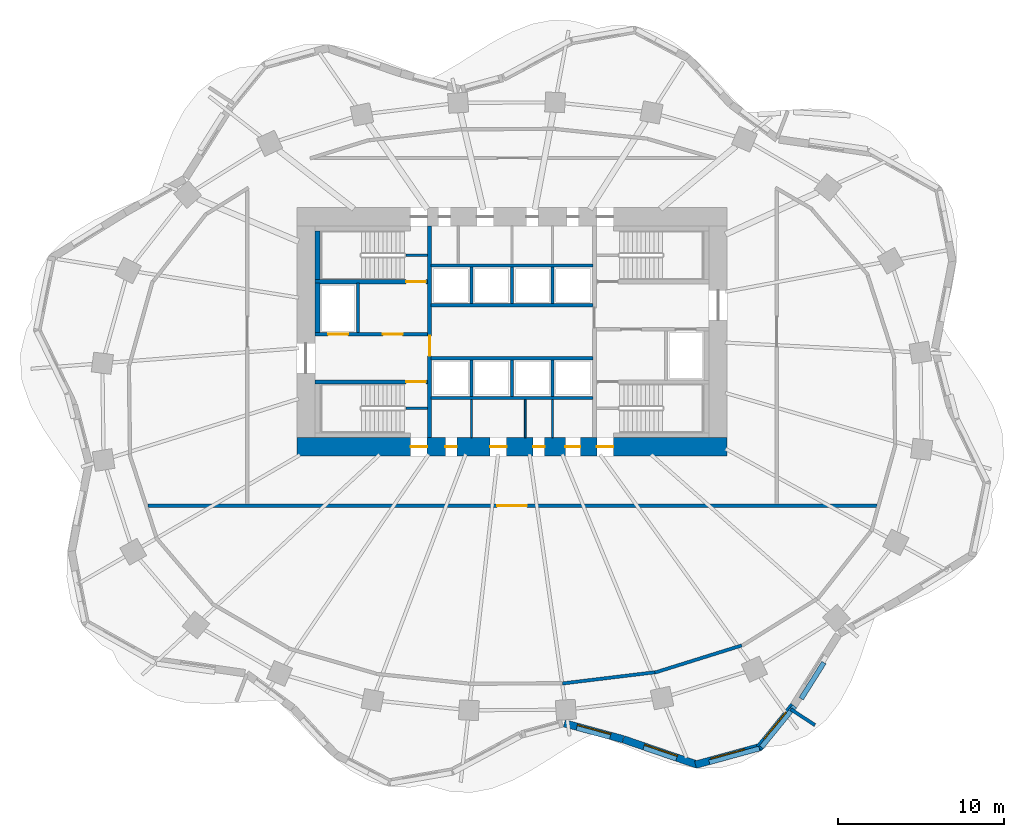
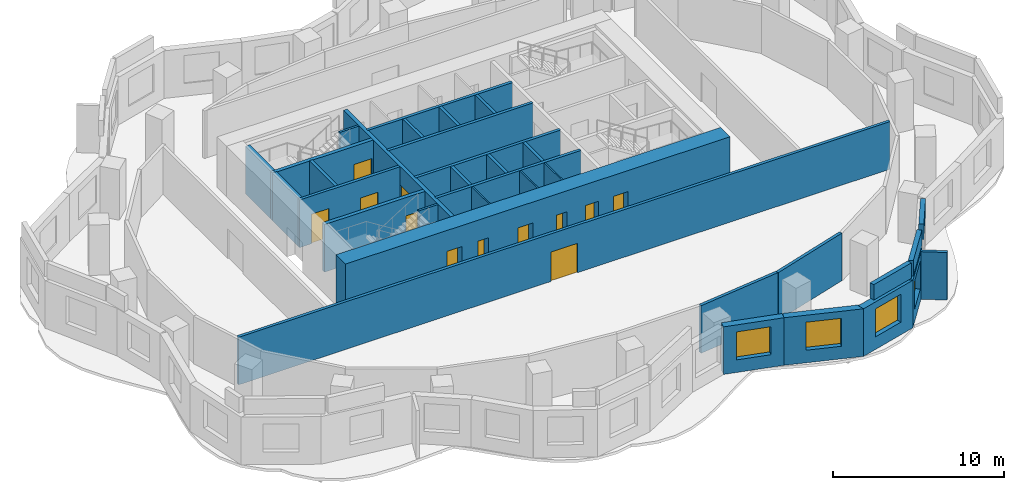
# One storey, part 4 of 8: 34 walls, 12 doors, 4 windows, 16 openings.
"""IFC4 building model written with IfcOpenShell, lengths in metres."""

from ifc_helpers import new_model, si_unit, direction, frame, frame_2d, origin, place, context, subcontext, project, spatial, rectangle, extrude, material, layer, layer_set, type_object, element, fill, save


model = new_model("IFC4")

# Units and contexts
model_context = context("Model", 3, precision=1e-05, world=origin(), true_north=direction((0.0, 1.0)))
body_context = subcontext(model_context, "Body", "Model", "MODEL_VIEW")
ifc_project = project(units=[si_unit("LENGTHUNIT", "METRE"), si_unit("AREAUNIT", "SQUARE_METRE"), si_unit("VOLUMEUNIT", "CUBIC_METRE"), si_unit("PLANEANGLEUNIT", "RADIAN"), si_unit("MASSUNIT", "GRAM", prefix="KILO")], contexts=[model_context])

# Site, building, storey
site_placement = place(None, origin())
site = spatial("IfcSite", under=ifc_project, at=site_placement, CompositionType="ELEMENT")
building_placement = place(site_placement, origin())
building = spatial("IfcBuilding", under=site, at=building_placement, Name="Rubra Terraces Tower", CompositionType="ELEMENT")
storey_placement = place(building_placement, frame((0.0, 0.0, 106.800048828125)))
storey = spatial("IfcBuildingStorey", under=building, at=storey_placement, Name="L25", CompositionType="ELEMENT", Elevation=106.800048828125)

# Wall, opening, window
ifc_material_1 = material(Name="Brick masonry red-brown", Category="masonry")
ifc_layer_1 = layer(ifc_material_1, 0.449951171875)
ifc_layer_set_1 = layer_set([ifc_layer_1], Name="Brick masonry red-brown")
wall_type_1 = type_object("IfcWallType", Name="Brick facade wall 450", PredefinedType="SOLIDWALL", material=ifc_layer_set_1)
wall_1_placement = place(storey_placement, frame((3.164306640625, -19.147216796875, 0.0), z_axis=(0.0, 0.0, 1.0), x_axis=(0.965039479998, -0.262104563191, 0.0)))
wall_1 = element("IfcWall", 1, at=wall_1_placement, inside=storey, type_object=wall_type_1, Name="Facade wall L25 bay 32", PredefinedType="SOLIDWALL", context=body_context, shape_type="SweptSolid", body=[
    extrude(rectangle(XDim=3.671875, YDim=0.449951171875, at=frame_2d((1.8359375, 0.0))), origin(), (0.0, 0.0, 1.0), 3.39990234375),
])
opening_1_placement = place(wall_1_placement, frame((0.785888671875, 0.0, 0.89990234375)))
opening_1 = element("IfcOpeningElement", 2, at=opening_1_placement, cuts=wall_1, Name="Opening W1", PredefinedType="OPENING", context=body_context, shape_type="SweptSolid", body=[
    extrude(rectangle(XDim=2.10009765625, YDim=2.0, at=frame_2d((1.050048828125, 1.0))), frame((0.0, 0.23486328125, 0.0), z_axis=(0.0, -1.0, 0.0), x_axis=(1.0, 0.0, 0.0)), (0.0, 0.0, 1.0), 0.469970703125),
])
ifc_material_2 = material(Name="Clear glass in aluminium frame", Category="aluminium")
window_type = type_object("IfcWindowType", Name="Fixed deep-set window 2100 x 2000", PartitioningType="SINGLE_PANEL", PredefinedType="WINDOW", material=ifc_material_2)
window_1_placement = place(opening_1_placement, origin())
window_1 = element("IfcWindow", 3, at=window_1_placement, inside=storey, type_object=window_type, Name="Window L25 bay 32", OverallHeight=2.0, OverallWidth=2.10009765625, PartitioningType="SINGLE_PANEL", PredefinedType="WINDOW", context=body_context, shape_type="SweptSolid", body=[
    extrude(rectangle(XDim=2.10009765625, YDim=2.0, at=frame_2d((1.050048828125, 1.0))), frame((0.0, 0.135009765625, 0.0), z_axis=(0.0, -1.0, 0.0), x_axis=(1.0, 0.0, 0.0)), (0.0, 0.0, 1.0), 0.06005859375),
])
fill(opening_1, window_1)

wall_2_placement = place(storey_placement, frame((6.722900390625, -20.114013671875, 0.0), z_axis=(0.0, 0.0, 1.0), x_axis=(0.945947299026, -0.324320377815, 0.0)))
wall_2 = element("IfcWall", 4, at=wall_2_placement, inside=storey, type_object=wall_type_1, Name="Facade wall L25 bay 33", PredefinedType="SOLIDWALL", context=body_context, shape_type="SweptSolid", body=[
    extrude(rectangle(XDim=4.74462890625, YDim=0.449951171875, at=frame_2d((2.372314453125, 0.0))), origin(), (0.0, 0.0, 1.0), 3.39990234375),
])
opening_2_placement = place(wall_2_placement, frame((1.322265625, 0.0, 0.89990234375)))
opening_2 = element("IfcOpeningElement", 5, at=opening_2_placement, cuts=wall_2, Name="Opening W1", PredefinedType="OPENING", context=body_context, shape_type="SweptSolid", body=[
    extrude(rectangle(XDim=2.10009765625, YDim=2.0, at=frame_2d((1.050048828125, 1.0))), frame((0.0, 0.23486328125, 0.0), z_axis=(0.0, -1.0, 0.0), x_axis=(1.0, 0.0, 0.0)), (0.0, 0.0, 1.0), 0.469970703125),
])
window_2_placement = place(opening_2_placement, origin())
window_2 = element("IfcWindow", 6, at=window_2_placement, inside=storey, type_object=window_type, Name="Window L25 bay 33", OverallHeight=2.0, OverallWidth=2.10009765625, PartitioningType="SINGLE_PANEL", PredefinedType="WINDOW", context=body_context, shape_type="SweptSolid", body=[
    extrude(rectangle(XDim=2.10009765625, YDim=2.0, at=frame_2d((1.050048828125, 1.0))), frame((0.0, 0.135009765625, 0.0), z_axis=(0.0, -1.0, 0.0), x_axis=(1.0, 0.0, 0.0)), (0.0, 0.0, 1.0), 0.06005859375),
])
fill(opening_2, window_2)

wall_3_placement = place(storey_placement, frame((11.08251953125, -21.64990234375, 0.0), z_axis=(0.0, 0.0, 1.0), x_axis=(0.964483204983, 0.264144179011, 0.0)))
wall_3 = element("IfcWall", 7, at=wall_3_placement, inside=storey, type_object=wall_type_1, Name="Facade wall L25 bay 34", PredefinedType="SOLIDWALL", context=body_context, shape_type="SweptSolid", body=[
    extrude(rectangle(XDim=4.103759765625, YDim=0.449951171875, at=frame_2d((2.0517578125, 0.0))), origin(), (0.0, 0.0, 1.0), 3.39990234375),
])
opening_3_placement = place(wall_3_placement, frame((1.001953125, 0.0, 0.89990234375)))
opening_3 = element("IfcOpeningElement", 8, at=opening_3_placement, cuts=wall_3, Name="Opening W1", PredefinedType="OPENING", context=body_context, shape_type="SweptSolid", body=[
    extrude(rectangle(XDim=2.10009765625, YDim=2.0, at=frame_2d((1.050048828125, 1.0))), frame((0.0, 0.23486328125, 0.0), z_axis=(0.0, -1.0, 0.0), x_axis=(1.0, 0.0, 0.0)), (0.0, 0.0, 1.0), 0.469970703125),
])
window_3_placement = place(opening_3_placement, origin())
window_3 = element("IfcWindow", 9, at=window_3_placement, inside=storey, type_object=window_type, Name="Window L25 bay 34", OverallHeight=2.0, OverallWidth=2.10009765625, PartitioningType="SINGLE_PANEL", PredefinedType="WINDOW", context=body_context, shape_type="SweptSolid", body=[
    extrude(rectangle(XDim=2.10009765625, YDim=2.0, at=frame_2d((1.050048828125, 1.0))), frame((0.0, 0.135009765625, 0.0), z_axis=(0.0, -1.0, 0.0), x_axis=(1.0, 0.0, 0.0)), (0.0, 0.0, 1.0), 0.06005859375),
])
fill(opening_3, window_3)

wall_4_placement = place(storey_placement, frame((14.925537109375, -20.640869140625, 0.0), z_axis=(0.0, 0.0, 1.0), x_axis=(0.631548074669, 0.775336720001, 0.0)))
wall_4 = element("IfcWall", 10, at=wall_4_placement, inside=storey, type_object=wall_type_1, Name="Facade wall L25 bay 35", PredefinedType="SOLIDWALL", context=body_context, shape_type="SweptSolid", body=[
    extrude(rectangle(XDim=3.3076171875, YDim=0.449951171875, at=frame_2d((1.65380859375, 0.0))), origin(), (0.0, 0.0, 1.0), 3.39990234375),
])
opening_4_placement = place(wall_4_placement, frame((0.603759765625, 0.0, 0.89990234375)))
opening_4 = element("IfcOpeningElement", 11, at=opening_4_placement, cuts=wall_4, Name="Opening W1", PredefinedType="OPENING", context=body_context, shape_type="SweptSolid", body=[
    extrude(rectangle(XDim=2.10009765625, YDim=2.0, at=frame_2d((1.050048828125, 1.0))), frame((0.0, 0.23486328125, 0.0), z_axis=(0.0, -1.0, 0.0), x_axis=(1.0, 0.0, 0.0)), (0.0, 0.0, 1.0), 0.469970703125),
])
window_4_placement = place(opening_4_placement, origin())
window_4 = element("IfcWindow", 12, at=window_4_placement, inside=storey, type_object=window_type, Name="Window L25 bay 35", OverallHeight=2.0, OverallWidth=2.10009765625, PartitioningType="SINGLE_PANEL", PredefinedType="WINDOW", context=body_context, shape_type="SweptSolid", body=[
    extrude(rectangle(XDim=2.10009765625, YDim=2.0, at=frame_2d((1.050048828125, 1.0))), frame((0.0, 0.135009765625, 0.0), z_axis=(0.0, -1.0, 0.0), x_axis=(1.0, 0.0, 0.0)), (0.0, 0.0, 1.0), 0.06005859375),
])
fill(opening_4, window_4)

# Walls
ifc_layer_2 = layer(ifc_material_1, 0.300048828125)
ifc_layer_set_2 = layer_set([ifc_layer_2], Name="Brick masonry red-brown")
wall_type_2 = type_object("IfcWallType", Name="Brick parapet 300", PredefinedType="PARAPET", material=ifc_layer_set_2)
wall_5_placement = place(storey_placement, frame((11.916259765625, -21.49951171875, 3.599853515625), z_axis=(0.0, 0.0, 1.0), x_axis=(0.964473787466, 0.264178563271, 0.0)))
element("IfcWall", 13, at=wall_5_placement, inside=storey, type_object=wall_type_2, Name="Parapet L25 bay 34", PredefinedType="PARAPET", context=body_context, shape_type="SweptSolid", body=[
    extrude(rectangle(XDim=3.1337890625, YDim=0.300048828125, at=frame_2d((1.56689453125, 0.0))), origin(), (0.0, 0.0, 1.0), 1.10009765625),
])
wall_6_placement = place(storey_placement, frame((15.063232421875, -20.590576171875, 3.599853515625), z_axis=(0.0, 0.0, 1.0), x_axis=(0.631539712948, 0.775343530939, 0.0)))
element("IfcWall", 14, at=wall_6_placement, inside=storey, type_object=wall_type_2, Name="Parapet L25 bay 35", PredefinedType="PARAPET", context=body_context, shape_type="SweptSolid", body=[
    extrude(rectangle(XDim=3.181640625, YDim=0.300048828125, at=frame_2d((1.5908203125, 0.0))), origin(), (0.0, 0.0, 1.0), 1.10009765625),
])
wall_7_placement = place(storey_placement, frame((17.4658203125, -17.663818359375, 3.599853515625), z_axis=(0.0, 0.0, 1.0), x_axis=(0.532743008157, 0.846277074758, 0.0)))
element("IfcWall", 15, at=wall_7_placement, inside=storey, type_object=wall_type_2, Name="Parapet L25 bay 36", PredefinedType="PARAPET", context=body_context, shape_type="SweptSolid", body=[
    extrude(rectangle(XDim=2.58056640625, YDim=0.300048828125, at=frame_2d((1.290283203125, 0.0))), origin(), (0.0, 0.0, 1.0), 1.10009765625),
])
ifc_layer_3 = layer(ifc_material_1, 0.199951171875)
ifc_layer_set_3 = layer_set([ifc_layer_3], Name="Brick masonry red-brown")
wall_type_3 = type_object("IfcWallType", Name="Brick wind fin 200", PredefinedType="SOLIDWALL", material=ifc_layer_set_3)
wall_8_placement = place(storey_placement, frame((16.837890625, -18.298095703125, 0.0), z_axis=(0.0, 0.0, 1.0), x_axis=(0.835871900419, -0.548924554097, 0.0)))
element("IfcWall", 16, at=wall_8_placement, inside=storey, type_object=wall_type_3, Name="Wind fin L25 21", PredefinedType="SOLIDWALL", context=body_context, shape_type="SweptSolid", body=[
    extrude(rectangle(XDim=1.750244140625, YDim=0.199951171875, at=frame_2d((0.875, 0.0))), origin(), (0.0, 0.0, 1.0), 3.39990234375),
])

# Wall, openings, doors
ifc_material_3 = material(Name="Concrete C60", Category="concrete")
ifc_layer_4 = layer(ifc_material_3, 1.10009765625)
ifc_layer_set_4 = layer_set([ifc_layer_4], Name="Concrete C60")
wall_type_4 = type_object("IfcWallType", Name="CORE WALL 1100 C60", PredefinedType="SHEAR", material=ifc_layer_set_4)
wall_9_placement = place(storey_placement, frame((-13.0, -2.449951171875, 0.0), z_axis=(0.0, 0.0, 1.0), x_axis=(1.0, 0.0, 0.0)))
wall_9 = element("IfcWall", 17, at=wall_9_placement, inside=storey, type_object=wall_type_4, Name="CORE WALL S L25", PredefinedType="SHEAR", context=body_context, shape_type="SweptSolid", body=[
    extrude(rectangle(XDim=26.0, YDim=1.10009765625, at=frame_2d((13.0, 0.0))), origin(), (0.0, 0.0, 1.0), 3.599853515625),
])
opening_5_placement = place(wall_9_placement, frame((8.97509765625, 0.0, 0.0)))
opening_5 = element("IfcOpeningElement", 18, at=opening_5_placement, cuts=wall_9, Name="Opening L25.C13", PredefinedType="OPENING", context=body_context, shape_type="SweptSolid", body=[
    extrude(rectangle(XDim=0.699951171875, YDim=2.10009765625, at=frame_2d((0.35009765625, 1.050048828125))), frame((0.0, 0.56005859375, 0.0), z_axis=(0.0, -1.0, 0.0), x_axis=(1.0, 0.0, 0.0)), (0.0, 0.0, 1.0), 1.1201171875),
])
opening_6_placement = place(wall_9_placement, frame((11.675048828125, 0.0, 0.0)))
opening_6 = element("IfcOpeningElement", 19, at=opening_6_placement, cuts=wall_9, Name="Opening L25.C14", PredefinedType="OPENING", context=body_context, shape_type="SweptSolid", body=[
    extrude(rectangle(XDim=1.0, YDim=2.10009765625, at=frame_2d((0.5, 1.050048828125))), frame((0.0, 0.56005859375, 0.0), z_axis=(0.0, -1.0, 0.0), x_axis=(1.0, 0.0, 0.0)), (0.0, 0.0, 1.0), 1.1201171875),
])
opening_7_placement = place(wall_9_placement, frame((14.27490234375, 0.0, 0.0)))
opening_7 = element("IfcOpeningElement", 20, at=opening_7_placement, cuts=wall_9, Name="Opening L25.C15", PredefinedType="OPENING", context=body_context, shape_type="SweptSolid", body=[
    extrude(rectangle(XDim=0.699951171875, YDim=2.10009765625, at=frame_2d((0.35009765625, 1.050048828125))), frame((0.0, 0.56005859375, 0.0), z_axis=(0.0, -1.0, 0.0), x_axis=(1.0, 0.0, 0.0)), (0.0, 0.0, 1.0), 1.1201171875),
])
opening_8_placement = place(wall_9_placement, frame((16.22509765625, 0.0, 0.0)))
opening_8 = element("IfcOpeningElement", 21, at=opening_8_placement, cuts=wall_9, Name="Opening L25.C16", PredefinedType="OPENING", context=body_context, shape_type="SweptSolid", body=[
    extrude(rectangle(XDim=0.89990234375, YDim=2.10009765625, at=frame_2d((0.449951171875, 1.050048828125))), frame((0.0, 0.56005859375, 0.0), z_axis=(0.0, -1.0, 0.0), x_axis=(1.0, 0.0, 0.0)), (0.0, 0.0, 1.0), 1.1201171875),
])
opening_9_placement = place(wall_9_placement, frame((6.8798828125, 0.0, 0.0)))
opening_9 = element("IfcOpeningElement", 22, at=opening_9_placement, cuts=wall_9, Name="Opening L25.C21", PredefinedType="OPENING", context=body_context, shape_type="SweptSolid", body=[
    extrude(rectangle(XDim=1.0, YDim=2.10009765625, at=frame_2d((0.5, 1.050048828125))), frame((0.0, 0.56005859375, 0.0), z_axis=(0.0, -1.0, 0.0), x_axis=(1.0, 0.0, 0.0)), (0.0, 0.0, 1.0), 1.1201171875),
])
opening_10_placement = place(wall_9_placement, frame((18.1201171875, 0.0, 0.0)))
opening_10 = element("IfcOpeningElement", 23, at=opening_10_placement, cuts=wall_9, Name="Opening L25.C24", PredefinedType="OPENING", context=body_context, shape_type="SweptSolid", body=[
    extrude(rectangle(XDim=1.0, YDim=2.10009765625, at=frame_2d((0.5, 1.050048828125))), frame((0.0, 0.56005859375, 0.0), z_axis=(0.0, -1.0, 0.0), x_axis=(1.0, 0.0, 0.0)), (0.0, 0.0, 1.0), 1.1201171875),
])
ifc_material_4 = material(Name="Painted steel", Category="steel")
door_type_1 = type_object("IfcDoorType", Name="Fire door 1000x2100 single", OperationType="NOTDEFINED", PredefinedType="DOOR", material=ifc_material_4)
door_1_placement = place(opening_6_placement, origin())
door_1 = element("IfcDoor", 24, at=door_1_placement, inside=storey, type_object=door_type_1, Name="General store door", OperationType="SINGLE_SWING_RIGHT", OverallHeight=2.10009765625, OverallWidth=1.0, PredefinedType="DOOR", context=body_context, shape_type="SweptSolid", body=[
    extrude(rectangle(XDim=1.0, YDim=2.10009765625, at=frame_2d((0.5, 1.050048828125))), frame((0.0, 0.02490234375, 0.0), z_axis=(0.0, -1.0, 0.0), x_axis=(1.0, 0.0, 0.0)), (0.0, 0.0, 1.0), 0.050048828125),
])
fill(opening_6, door_1)
door_2_placement = place(opening_9_placement, origin())
door_2 = element("IfcDoor", 25, at=door_2_placement, inside=storey, type_object=door_type_1, Name="Stair S1 refuge door", OperationType="SINGLE_SWING_LEFT", OverallHeight=2.10009765625, OverallWidth=1.0, PredefinedType="DOOR", context=body_context, shape_type="SweptSolid", body=[
    extrude(rectangle(XDim=1.0, YDim=2.10009765625, at=frame_2d((0.5, 1.050048828125))), frame((0.0, 0.02490234375, 0.0), z_axis=(0.0, -1.0, 0.0), x_axis=(1.0, 0.0, 0.0)), (0.0, 0.0, 1.0), 0.050048828125),
])
fill(opening_9, door_2)
door_3_placement = place(opening_10_placement, origin())
door_3 = element("IfcDoor", 26, at=door_3_placement, inside=storey, type_object=door_type_1, Name="Stair S4 refuge door", OperationType="SINGLE_SWING_RIGHT", OverallHeight=2.10009765625, OverallWidth=1.0, PredefinedType="DOOR", context=body_context, shape_type="SweptSolid", body=[
    extrude(rectangle(XDim=1.0, YDim=2.10009765625, at=frame_2d((0.5, 1.050048828125))), frame((0.0, 0.02490234375, 0.0), z_axis=(0.0, -1.0, 0.0), x_axis=(1.0, 0.0, 0.0)), (0.0, 0.0, 1.0), 0.050048828125),
])
fill(opening_10, door_3)
door_type_2 = type_object("IfcDoorType", Name="Fire door 900x2100 single", OperationType="NOTDEFINED", PredefinedType="DOOR", material=ifc_material_4)
door_4_placement = place(opening_8_placement, origin())
door_4 = element("IfcDoor", 27, at=door_4_placement, inside=storey, type_object=door_type_2, Name="Cleaner's store door", OperationType="SINGLE_SWING_RIGHT", OverallHeight=2.10009765625, OverallWidth=0.89990234375, PredefinedType="DOOR", context=body_context, shape_type="SweptSolid", body=[
    extrude(rectangle(XDim=0.89990234375, YDim=2.10009765625, at=frame_2d((0.449951171875, 1.050048828125))), frame((0.0, 0.02490234375, 0.0), z_axis=(0.0, -1.0, 0.0), x_axis=(1.0, 0.0, 0.0)), (0.0, 0.0, 1.0), 0.050048828125),
])
fill(opening_8, door_4)
door_type_3 = type_object("IfcDoorType", Name="Riser access door 700x2100 single", OperationType="NOTDEFINED", PredefinedType="DOOR", material=ifc_material_4)
door_5_placement = place(opening_5_placement, origin())
door_5 = element("IfcDoor", 28, at=door_5_placement, inside=storey, type_object=door_type_3, Name="M&E riser room door", OperationType="SINGLE_SWING_LEFT", OverallHeight=2.10009765625, OverallWidth=0.699951171875, PredefinedType="DOOR", context=body_context, shape_type="SweptSolid", body=[
    extrude(rectangle(XDim=0.699951171875, YDim=2.10009765625, at=frame_2d((0.35009765625, 1.050048828125))), frame((0.0, 0.02490234375, 0.0), z_axis=(0.0, -1.0, 0.0), x_axis=(1.0, 0.0, 0.0)), (0.0, 0.0, 1.0), 0.050048828125),
])
fill(opening_5, door_5)
door_6_placement = place(opening_7_placement, origin())
door_6 = element("IfcDoor", 29, at=door_6_placement, inside=storey, type_object=door_type_3, Name="Telecoms room door", OperationType="SINGLE_SWING_LEFT", OverallHeight=2.10009765625, OverallWidth=0.699951171875, PredefinedType="DOOR", context=body_context, shape_type="SweptSolid", body=[
    extrude(rectangle(XDim=0.699951171875, YDim=2.10009765625, at=frame_2d((0.35009765625, 1.050048828125))), frame((0.0, 0.02490234375, 0.0), z_axis=(0.0, -1.0, 0.0), x_axis=(1.0, 0.0, 0.0)), (0.0, 0.0, 1.0), 0.050048828125),
])
fill(opening_7, door_6)

# Walls
ifc_material_5 = material(Name="Concrete C40", Category="concrete")
ifc_layer_5 = layer(ifc_material_5, 0.300048828125)
ifc_layer_set_5 = layer_set([ifc_layer_5], Name="Concrete C40")
wall_type_5 = type_object("IfcWallType", Name="Core lining wall 300 concrete", PredefinedType="SOLIDWALL", material=ifc_layer_set_5)
wall_10_placement = place(storey_placement, frame((-11.75, 4.449951171875, 0.0), z_axis=(0.0, 0.0, 1.0), x_axis=(0.0, 1.0, 0.0)))
element("IfcWall", 30, at=wall_10_placement, inside=storey, type_object=wall_type_5, Name="CORE LINING WALL L25", PredefinedType="SOLIDWALL", context=body_context, shape_type="SweptSolid", body=[
    extrude(rectangle(XDim=3.0, YDim=0.300048828125, at=frame_2d((1.5, 0.0))), origin(), (0.0, 0.0, 1.0), 3.39990234375),
])
wall_11_placement = place(storey_placement, frame((-11.75, 7.64990234375, 0.0), z_axis=(0.0, 0.0, 1.0), x_axis=(0.0, 1.0, 0.0)))
element("IfcWall", 31, at=wall_11_placement, inside=storey, type_object=wall_type_5, Name="CORE LINING WALL L25", PredefinedType="SOLIDWALL", context=body_context, shape_type="SweptSolid", body=[
    extrude(rectangle(XDim=2.9501953125, YDim=0.300048828125, at=frame_2d((1.47509765625, 0.0))), origin(), (0.0, 0.0, 1.0), 3.39990234375),
])

# Wall, openings, doors
ifc_material_6 = material(Name="Concrete C30", Category="concrete")
ifc_layer_6 = layer(ifc_material_6, 0.199951171875)
ifc_layer_set_6 = layer_set([ifc_layer_6], Name="Concrete C30")
wall_type_6 = type_object("IfcWallType", Name="Core wall 200 concrete", PredefinedType="SOLIDWALL", material=ifc_layer_set_6)
wall_12_placement = place(storey_placement, frame((-11.89990234375, 4.35009765625, 0.0), z_axis=(0.0, 0.0, 1.0), x_axis=(1.0, 0.0, 0.0)))
wall_12 = element("IfcWall", 32, at=wall_12_placement, inside=storey, type_object=wall_type_6, Name="STAIR WALL L25", PredefinedType="SOLIDWALL", context=body_context, shape_type="SweptSolid", body=[
    extrude(rectangle(XDim=6.7998046875, YDim=0.199951171875, at=frame_2d((3.39990234375, 0.0))), origin(), (0.0, 0.0, 1.0), 3.39990234375),
])
opening_11_placement = place(wall_12_placement, frame((4.10009765625, 0.0, 0.0)))
opening_11 = element("IfcOpeningElement", 33, at=opening_11_placement, cuts=wall_12, Name="Opening L25.C05", PredefinedType="OPENING", context=body_context, shape_type="SweptSolid", body=[
    extrude(rectangle(XDim=1.199951171875, YDim=2.10009765625, at=frame_2d((0.60009765625, 1.050048828125))), frame((0.0, 0.10986328125, 0.0), z_axis=(0.0, -1.0, 0.0), x_axis=(1.0, 0.0, 0.0)), (0.0, 0.0, 1.0), 0.219970703125),
])
opening_12_placement = place(wall_12_placement, frame((0.800048828125, 0.0, 0.0)))
opening_12 = element("IfcOpeningElement", 34, at=opening_12_placement, cuts=wall_12, Name="Opening L25.C11", PredefinedType="OPENING", context=body_context, shape_type="SweptSolid", body=[
    extrude(rectangle(XDim=1.199951171875, YDim=2.10009765625, at=frame_2d((0.60009765625, 1.050048828125))), frame((0.0, 0.10986328125, 0.0), z_axis=(0.0, -1.0, 0.0), x_axis=(1.0, 0.0, 0.0)), (0.0, 0.0, 1.0), 0.219970703125),
])
door_type_4 = type_object("IfcDoorType", Name="Fire door 1200x2100 single", OperationType="NOTDEFINED", PredefinedType="DOOR", material=ifc_material_4)
door_7_placement = place(opening_11_placement, origin())
door_7 = element("IfcDoor", 35, at=door_7_placement, inside=storey, type_object=door_type_4, Name="Stair vestibule door S2", OperationType="SINGLE_SWING_LEFT", OverallHeight=2.10009765625, OverallWidth=1.199951171875, PredefinedType="DOOR", context=body_context, shape_type="SweptSolid", body=[
    extrude(rectangle(XDim=1.199951171875, YDim=2.10009765625, at=frame_2d((0.60009765625, 1.050048828125))), frame((0.0, 0.02490234375, 0.0), z_axis=(0.0, -1.0, 0.0), x_axis=(1.0, 0.0, 0.0)), (0.0, 0.0, 1.0), 0.050048828125),
])
fill(opening_11, door_7)
ifc_material_7 = material(Name="Stainless steel", Category="steel")
door_type_5 = type_object("IfcDoorType", Name="Lift landing door 1200x2100", OperationType="NOTDEFINED", PredefinedType="DOOR", material=ifc_material_7)
door_8_placement = place(opening_12_placement, origin())
door_8 = element("IfcDoor", 36, at=door_8_placement, inside=storey, type_object=door_type_5, Name="Landing door FF1", OperationType="SLIDING_TO_RIGHT", OverallHeight=2.10009765625, OverallWidth=1.199951171875, PredefinedType="DOOR", context=body_context, shape_type="SweptSolid", body=[
    extrude(rectangle(XDim=1.199951171875, YDim=2.10009765625, at=frame_2d((0.60009765625, 1.050048828125))), frame((0.0, 0.02490234375, 0.0), z_axis=(0.0, -1.0, 0.0), x_axis=(1.0, 0.0, 0.0)), (0.0, 0.0, 1.0), 0.050048828125),
])
fill(opening_12, door_8)

# Walls
wall_13_placement = place(storey_placement, frame((-9.300048828125, 4.449951171875, 0.0), z_axis=(0.0, 0.0, 1.0), x_axis=(0.0, 1.0, 0.0)))
element("IfcWall", 37, at=wall_13_placement, inside=storey, type_object=wall_type_6, Name="STAIR WALL L25", PredefinedType="SOLIDWALL", context=body_context, shape_type="SweptSolid", body=[
    extrude(rectangle(XDim=3.0, YDim=0.199951171875, at=frame_2d((1.5, 0.0))), origin(), (0.0, 0.0, 1.0), 3.39990234375),
])
for number, where, z_axis, x_axis, name in (
    (38, (-4.89990234375, 0.5, 0.0), (0.0, 0.0, 1.0), (1.0, 0.0, 0.0), "LIFT SHAFT WALL L25"),
    (39, (-4.89990234375, 2.89990234375, 0.0), (0.0, 0.0, 1.0), (1.0, 0.0, 0.0), "LIFT SHAFT WALL L25"),
    (40, (-4.89990234375, 6.10009765625, 0.0), (0.0, 0.0, 1.0), (1.0, 0.0, 0.0), "LIFT SHAFT WALL L25"),
    (41, (-4.89990234375, 8.5, 0.0), (0.0, 0.0, 1.0), (1.0, 0.0, 0.0), "LIFT SHAFT WALL L25"),
):
    element("IfcWall", number, at=place(storey_placement, frame(where, z_axis=z_axis, x_axis=x_axis)), inside=storey, type_object=wall_type_6, Name=name, PredefinedType="SOLIDWALL", context=body_context, shape_type="SweptSolid", body=[
        extrude(rectangle(XDim=9.7998046875, YDim=0.199951171875, at=frame_2d((4.89990234375, 0.0))), origin(), (0.0, 0.0, 1.0), 3.39990234375),
    ])
for number, where, z_axis, x_axis, name in (
    (42, (-2.449951171875, 0.60009765625, 0.0), (0.0, 0.0, 1.0), (0.0, 1.0, 0.0), "LIFT SHAFT WALL L25"),
    (43, (0.0, 0.60009765625, 0.0), (0.0, 0.0, 1.0), (0.0, 1.0, 0.0), "LIFT SHAFT WALL L25"),
    (44, (2.449951171875, 0.60009765625, 0.0), (0.0, 0.0, 1.0), (0.0, 1.0, 0.0), "LIFT SHAFT WALL L25"),
    (45, (-2.449951171875, 6.199951171875, 0.0), (0.0, 0.0, 1.0), (0.0, 1.0, 0.0), "LIFT SHAFT WALL L25"),
    (46, (0.0, 6.199951171875, 0.0), (0.0, 0.0, 1.0), (0.0, 1.0, 0.0), "LIFT SHAFT WALL L25"),
    (47, (2.449951171875, 6.199951171875, 0.0), (0.0, 0.0, 1.0), (0.0, 1.0, 0.0), "LIFT SHAFT WALL L25"),
):
    element("IfcWall", number, at=place(storey_placement, frame(where, z_axis=z_axis, x_axis=x_axis)), inside=storey, type_object=wall_type_6, Name=name, PredefinedType="SOLIDWALL", context=body_context, shape_type="SweptSolid", body=[
        extrude(rectangle(XDim=2.199951171875, YDim=0.199951171875, at=frame_2d((1.10009765625, 0.0))), origin(), (0.0, 0.0, 1.0), 3.39990234375),
    ])
ifc_material_8 = material(Name="Blockwork", Category="masonry")
ifc_layer_7 = layer(ifc_material_8, 0.199951171875)
ifc_layer_set_7 = layer_set([ifc_layer_7], Name="Blockwork")
wall_type_7 = type_object("IfcWallType", Name="Corridor partition 200 blockwork", PredefinedType="PARTITIONING", material=ifc_layer_set_7)
wall_14_placement = place(storey_placement, frame((13.875, -14.445068359375, 0.0), z_axis=(0.0, 0.0, 1.0), x_axis=(-0.954489463941, -0.298244636541, 0.0)))
element("IfcWall", 48, at=wall_14_placement, inside=storey, type_object=wall_type_7, Name="Partition wall", PredefinedType="PARTITIONING", context=body_context, shape_type="SweptSolid", body=[
    extrude(rectangle(XDim=5.4951171875, YDim=0.199951171875, at=frame_2d((2.74755859375, 0.0))), origin(), (0.0, 0.0, 1.0), 3.39990234375),
])
wall_15_placement = place(storey_placement, frame((8.6259765625, -16.06591796875, 0.0), z_axis=(0.0, 0.0, 1.0), x_axis=(-0.992720392358, -0.120441780942, 0.0)))
element("IfcWall", 49, at=wall_15_placement, inside=storey, type_object=wall_type_7, Name="Partition wall", PredefinedType="PARTITIONING", context=body_context, shape_type="SweptSolid", body=[
    extrude(rectangle(XDim=5.61279296875, YDim=0.199951171875, at=frame_2d((2.806396484375, 0.0))), origin(), (0.0, 0.0, 1.0), 3.39990234375),
])

# Wall, opening, door
wall_16_placement = place(storey_placement, frame((-21.998046875, -6.0, 0.0), z_axis=(0.0, 0.0, 1.0), x_axis=(1.0, 0.0, 0.0)))
wall_16 = element("IfcWall", 50, at=wall_16_placement, inside=storey, type_object=wall_type_7, Name="Partition wall", PredefinedType="PARTITIONING", context=body_context, shape_type="SweptSolid", body=[
    extrude(rectangle(XDim=44.0361328125, YDim=0.199951171875, at=frame_2d((22.01806640625, 0.0))), origin(), (0.0, 0.0, 1.0), 3.39990234375),
])
opening_13_placement = place(wall_16_placement, frame((21.097900390625, 0.0, 0.0)))
opening_13 = element("IfcOpeningElement", 51, at=opening_13_placement, cuts=wall_16, Name="Opening DB3", PredefinedType="OPENING", context=body_context, shape_type="SweptSolid", body=[
    extrude(rectangle(XDim=1.800048828125, YDim=2.10009765625, at=frame_2d((0.89990234375, 1.050048828125))), frame((0.0, 0.10986328125, 0.0), z_axis=(0.0, -1.0, 0.0), x_axis=(1.0, 0.0, 0.0)), (0.0, 0.0, 1.0), 0.219970703125),
])
door_type_6 = type_object("IfcDoorType", Name="Door 1800x2100 double", OperationType="NOTDEFINED", PredefinedType="DOOR", material=ifc_material_4)
door_9_placement = place(opening_13_placement, origin())
door_9 = element("IfcDoor", 52, at=door_9_placement, inside=storey, type_object=door_type_6, Name="Refuge area door L25-01", OperationType="DOUBLE_DOOR_SINGLE_SWING", OverallHeight=2.10009765625, OverallWidth=1.800048828125, PredefinedType="DOOR", context=body_context, shape_type="SweptSolid", body=[
    extrude(rectangle(XDim=1.800048828125, YDim=2.10009765625, at=frame_2d((0.89990234375, 1.050048828125))), frame((0.0, 0.02490234375, 0.0), z_axis=(0.0, -1.0, 0.0), x_axis=(1.0, 0.0, 0.0)), (0.0, 0.0, 1.0), 0.050048828125),
])
fill(opening_13, door_9)

# Walls
ifc_layer_8 = layer(ifc_material_8, 0.10009765625)
ifc_layer_set_8 = layer_set([ifc_layer_8], Name="Blockwork")
wall_type_8 = type_object("IfcWallType", Name="Service partition 100 blockwork", PredefinedType="PARTITIONING", material=ifc_layer_set_8)
for number, where, z_axis, x_axis, name in (
    (53, (-2.449951171875, -1.89990234375, 0.0), (0.0, 0.0, 1.0), (0.0, 1.0, 0.0), "SERVICE ROOM PARTITION L25"),
    (54, (0.800048828125, -1.89990234375, 0.0), (0.0, 0.0, 1.0), (0.0, 1.0, 0.0), "SERVICE ROOM PARTITION L25"),
    (55, (2.449951171875, -1.89990234375, 0.0), (0.0, 0.0, 1.0), (0.0, 1.0, 0.0), "SERVICE ROOM PARTITION L25"),
):
    element("IfcWall", number, at=place(storey_placement, frame(where, z_axis=z_axis, x_axis=x_axis)), inside=storey, type_object=wall_type_8, Name=name, PredefinedType="PARTITIONING", context=body_context, shape_type="SweptSolid", body=[
        extrude(rectangle(XDim=2.2998046875, YDim=0.10009765625, at=frame_2d((1.14990234375, 0.0))), origin(), (0.0, 0.0, 1.0), 3.39990234375),
    ])

# Wall, opening, door
ifc_layer_9 = layer(ifc_material_5, 0.25)
ifc_layer_set_9 = layer_set([ifc_layer_9], Name="Concrete C40")
wall_type_9 = type_object("IfcWallType", Name="Stair enclosure wall 250 concrete", PredefinedType="SOLIDWALL", material=ifc_layer_set_9)
wall_17_placement = place(storey_placement, frame((-11.89990234375, 1.47509765625, 0.0), z_axis=(0.0, 0.0, 1.0), x_axis=(1.0, 0.0, 0.0)))
wall_17 = element("IfcWall", 56, at=wall_17_placement, inside=storey, type_object=wall_type_9, Name="STAIR WALL L25", PredefinedType="SOLIDWALL", context=body_context, shape_type="SweptSolid", body=[
    extrude(rectangle(XDim=6.7998046875, YDim=0.25, at=frame_2d((3.39990234375, 0.0))), origin(), (0.0, 0.0, 1.0), 3.39990234375),
])
opening_14_placement = place(wall_17_placement, frame((5.5, 0.0, 0.0)))
opening_14 = element("IfcOpeningElement", 57, at=opening_14_placement, cuts=wall_17, Name="Opening L25.C07", PredefinedType="OPENING", context=body_context, shape_type="SweptSolid", body=[
    extrude(rectangle(XDim=1.199951171875, YDim=2.10009765625, at=frame_2d((0.60009765625, 1.050048828125))), frame((0.0, 0.135009765625, 0.0), z_axis=(0.0, -1.0, 0.0), x_axis=(1.0, 0.0, 0.0)), (0.0, 0.0, 1.0), 0.27001953125),
])
door_10_placement = place(opening_14_placement, origin())
door_10 = element("IfcDoor", 58, at=door_10_placement, inside=storey, type_object=door_type_4, Name="Stair door S1", OperationType="SINGLE_SWING_LEFT", OverallHeight=2.10009765625, OverallWidth=1.199951171875, PredefinedType="DOOR", context=body_context, shape_type="SweptSolid", body=[
    extrude(rectangle(XDim=1.199951171875, YDim=2.10009765625, at=frame_2d((0.60009765625, 1.050048828125))), frame((0.0, 0.02490234375, 0.0), z_axis=(0.0, -1.0, 0.0), x_axis=(1.0, 0.0, 0.0)), (0.0, 0.0, 1.0), 0.050048828125),
])
fill(opening_14, door_10)

wall_18_placement = place(storey_placement, frame((-11.89990234375, 7.52490234375, 0.0), z_axis=(0.0, 0.0, 1.0), x_axis=(1.0, 0.0, 0.0)))
wall_18 = element("IfcWall", 59, at=wall_18_placement, inside=storey, type_object=wall_type_9, Name="STAIR WALL L25", PredefinedType="SOLIDWALL", context=body_context, shape_type="SweptSolid", body=[
    extrude(rectangle(XDim=6.7998046875, YDim=0.25, at=frame_2d((3.39990234375, 0.0))), origin(), (0.0, 0.0, 1.0), 3.39990234375),
])
opening_15_placement = place(wall_18_placement, frame((5.5, 0.0, 0.0)))
opening_15 = element("IfcOpeningElement", 60, at=opening_15_placement, cuts=wall_18, Name="Opening L25.C09", PredefinedType="OPENING", context=body_context, shape_type="SweptSolid", body=[
    extrude(rectangle(XDim=1.199951171875, YDim=2.10009765625, at=frame_2d((0.60009765625, 1.050048828125))), frame((0.0, 0.135009765625, 0.0), z_axis=(0.0, -1.0, 0.0), x_axis=(1.0, 0.0, 0.0)), (0.0, 0.0, 1.0), 0.27001953125),
])
door_11_placement = place(opening_15_placement, origin())
door_11 = element("IfcDoor", 61, at=door_11_placement, inside=storey, type_object=door_type_4, Name="Stair door S2", OperationType="SINGLE_SWING_LEFT", OverallHeight=2.10009765625, OverallWidth=1.199951171875, PredefinedType="DOOR", context=body_context, shape_type="SweptSolid", body=[
    extrude(rectangle(XDim=1.199951171875, YDim=2.10009765625, at=frame_2d((0.60009765625, 1.050048828125))), frame((0.0, 0.02490234375, 0.0), z_axis=(0.0, -1.0, 0.0), x_axis=(1.0, 0.0, 0.0)), (0.0, 0.0, 1.0), 0.050048828125),
])
fill(opening_15, door_11)

wall_19_placement = place(storey_placement, frame((-4.97509765625, -1.89990234375, 0.0), z_axis=(0.0, 0.0, 1.0), x_axis=(0.0, 1.0, 0.0)))
wall_19 = element("IfcWall", 62, at=wall_19_placement, inside=storey, type_object=wall_type_9, Name="CORE LOBBY WALL L25", PredefinedType="SOLIDWALL", context=body_context, shape_type="SweptSolid", body=[
    extrude(rectangle(XDim=12.7998046875, YDim=0.25, at=frame_2d((6.39990234375, 0.0))), origin(), (0.0, 0.0, 1.0), 3.39990234375),
])
opening_16_placement = place(wall_19_placement, frame((4.949951171875, 0.0, 0.0)))
opening_16 = element("IfcOpeningElement", 63, at=opening_16_placement, cuts=wall_19, Name="Opening L25.C03", PredefinedType="OPENING", context=body_context, shape_type="SweptSolid", body=[
    extrude(rectangle(XDim=1.199951171875, YDim=2.10009765625, at=frame_2d((0.60009765625, 1.050048828125))), frame((0.0, 0.135009765625, 0.0), z_axis=(0.0, -1.0, 0.0), x_axis=(1.0, 0.0, 0.0)), (0.0, 0.0, 1.0), 0.27001953125),
])
door_12_placement = place(opening_16_placement, origin())
door_12 = element("IfcDoor", 64, at=door_12_placement, inside=storey, type_object=door_type_4, Name="Firefighting lobby door FF1", OperationType="SINGLE_SWING_LEFT", OverallHeight=2.10009765625, OverallWidth=1.199951171875, PredefinedType="DOOR", context=body_context, shape_type="SweptSolid", body=[
    extrude(rectangle(XDim=1.199951171875, YDim=2.10009765625, at=frame_2d((0.60009765625, 1.050048828125))), frame((0.0, 0.02490234375, 0.0), z_axis=(0.0, -1.0, 0.0), x_axis=(1.0, 0.0, 0.0)), (0.0, 0.0, 1.0), 0.050048828125),
])
fill(opening_16, door_12)

# Walls
ifc_layer_10 = layer(ifc_material_5, 0.14990234375)
ifc_layer_set_10 = layer_set([ifc_layer_10], Name="Concrete C40")
wall_type_10 = type_object("IfcWallType", Name="Stair separation wall 150 concrete", PredefinedType="SOLIDWALL", material=ifc_layer_set_10)
for number, where, z_axis, x_axis, name in (
    (65, (-6.39990234375, -0.125, 0.0), (0.0, 0.0, 1.0), (1.0, 0.0, 0.0), "STAIR SEPARATION WALL L25"),
    (66, (-6.39990234375, 9.125, 0.0), (0.0, 0.0, 1.0), (1.0, 0.0, 0.0), "STAIR SEPARATION WALL L25"),
):
    element("IfcWall", number, at=place(storey_placement, frame(where, z_axis=z_axis, x_axis=x_axis)), inside=storey, type_object=wall_type_10, Name=name, PredefinedType="SOLIDWALL", context=body_context, shape_type="SweptSolid", body=[
        extrude(rectangle(XDim=1.2998046875, YDim=0.14990234375, at=frame_2d((0.64990234375, 0.0))), origin(), (0.0, 0.0, 1.0), 3.39990234375),
    ])

save(model, "model.ifc")
